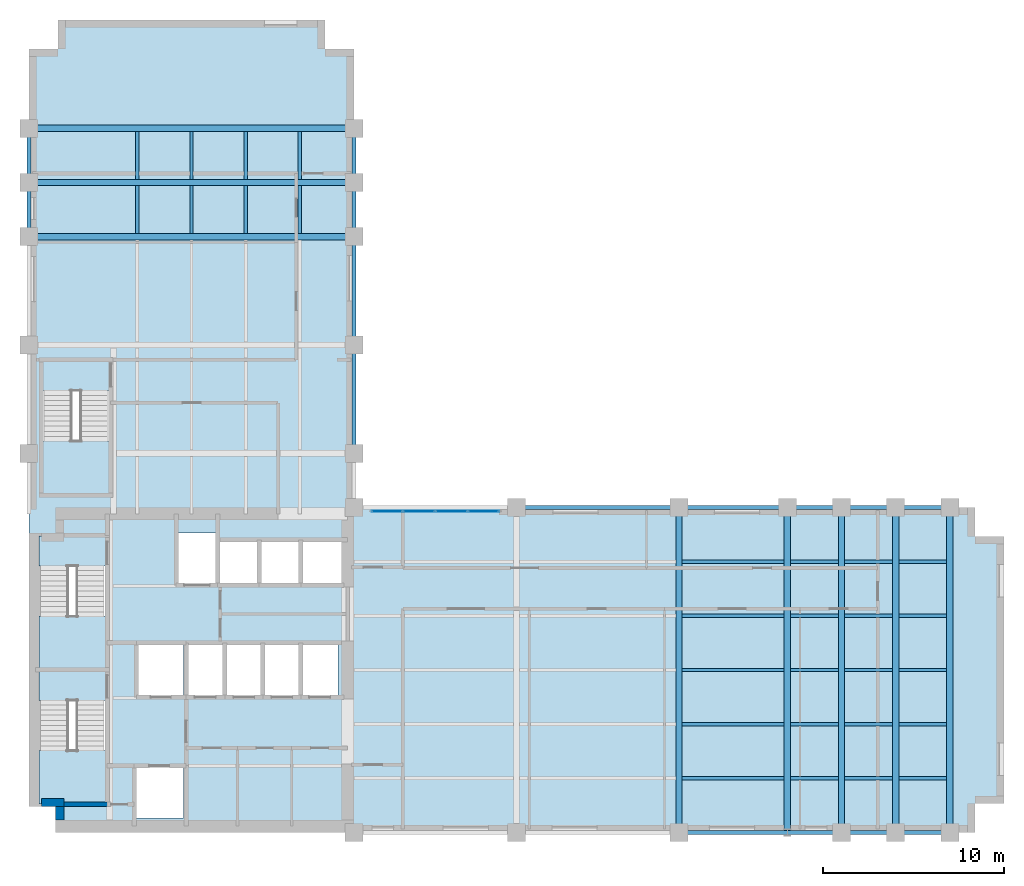
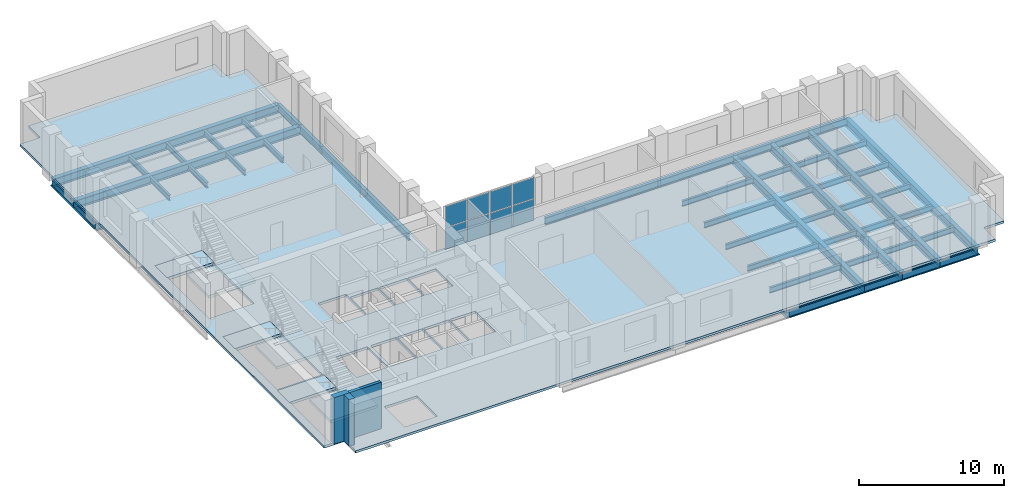
# One storey, part 3 of 8: 51 beams, 8 plates, 7 slabs, 3 walls, 4 elements without a shape of their own.
"""IFC4 building model written with IfcOpenShell, lengths in metres."""

from ifc_helpers import new_model, si_unit, direction, frame, frame_2d, origin, origin_2d, place, context, subcontext, project, spatial, polyline, rectangle, i_section, outline, extrude, material, layer, layer_set, material_profile, profile_set, type_object, element, aggregate, save


model = new_model("IFC4")

# Units and contexts
model_context = context("Model", 3, precision=1e-05, world=origin(), true_north=direction((0.0, 1.0)))
body_context = subcontext(model_context, "Body", "Model", "MODEL_VIEW")
ifc_project = project(units=[si_unit("LENGTHUNIT", "METRE"), si_unit("AREAUNIT", "SQUARE_METRE"), si_unit("VOLUMEUNIT", "CUBIC_METRE"), si_unit("PLANEANGLEUNIT", "RADIAN"), si_unit("MASSUNIT", "GRAM", prefix="KILO")], contexts=[model_context])

# Site, building, storey
site_placement = place(None, origin())
site = spatial("IfcSite", under=ifc_project, at=site_placement, CompositionType="ELEMENT")
building_placement = place(site_placement, origin())
building = spatial("IfcBuilding", under=site, at=building_placement, Name="Mawjdan Bourse Tower", CompositionType="ELEMENT")
storey_placement = place(building_placement, frame((0.0, 0.0, 132.300048828125)))
storey = spatial("IfcBuildingStorey", under=building, at=storey_placement, Name="L31", CompositionType="ELEMENT", Elevation=132.300048828125)

# Beams
ifc_material_1 = material(Name="Structural Steel S355", Category="steel")
ifc_material_profile_1 = material_profile(ifc_material_1, i_section(OverallWidth=0.35498046875, OverallDepth=0.696044921875, WebThickness=0.015380859375, FlangeThickness=0.02490234375, FilletRadius=0.019775390625, at=origin_2d()), Name="W27X146")
ifc_profile_set_1 = profile_set([ifc_material_profile_1], Name="Structural Steel S355")
beam_type_1 = type_object("IfcBeamType", Name="GRD-W27X146", PredefinedType="BEAM", material=ifc_profile_set_1)
for number, where, z_axis, x_axis, name in (
    (1, (42.0, 3.0, -0.548095703125), (0.0, 1.0, 0.0), (-1.0, 0.0, 0.0), "L31 East Wing Clear-Span Girder 003"),
    (2, (48.0, 3.0, -0.548095703125), (0.0, 1.0, 0.0), (-1.0, 0.0, 0.0), "L31 East Wing Clear-Span Girder 004"),
    (3, (51.0, 3.0, -0.548095703125), (0.0, 1.0, 0.0), (-1.0, 0.0, 0.0), "L31 East Wing Clear-Span Girder 005"),
    (4, (54.0, 3.0, -0.548095703125), (0.0, 1.0, 0.0), (-1.0, 0.0, 0.0), "L31 East Wing Clear-Span Girder 006"),
    (5, (57.0, 3.0, -0.548095703125), (0.0, 1.0, 0.0), (-1.0, 0.0, 0.0), "L31 East Wing Clear-Span Girder 007"),
    (6, (6.0, 36.0, -0.548095703125), (1.0, 0.0, 0.0), (0.0, 1.0, 0.0), "L31 North Wing Clear-Span Girder 057"),
    (7, (6.0, 39.0, -0.548095703125), (1.0, 0.0, 0.0), (0.0, 1.0, 0.0), "L31 North Wing Clear-Span Girder 058"),
    (8, (6.0, 42.0, -0.548095703125), (1.0, 0.0, 0.0), (0.0, 1.0, 0.0), "L31 North Wing Clear-Span Girder 059"),
):
    element("IfcBeam", number, at=place(storey_placement, frame(where, z_axis=z_axis, x_axis=x_axis)), inside=storey, type_object=beam_type_1, Name=name, PredefinedType="BEAM", context=body_context, shape_type="SweptSolid", body=[
        extrude(i_section(OverallWidth=0.35498046875, OverallDepth=0.696044921875, WebThickness=0.015380859375, FlangeThickness=0.02490234375, FilletRadius=0.019775390625, at=origin_2d()), origin(), (0.0, 0.0, 1.0), 18.0),
    ])
ifc_material_profile_2 = material_profile(ifc_material_1, i_section(OverallWidth=0.18994140625, OverallDepth=0.45703125, WebThickness=0.009033203125, FlangeThickness=0.014404296875, FilletRadius=0.01171875, at=origin_2d()), Name="W18X50")
ifc_profile_set_2 = profile_set([ifc_material_profile_2], Name="Structural Steel S355")
beam_type_2 = type_object("IfcBeamType", Name="JST-W18X50", PredefinedType="JOIST", material=ifc_profile_set_2)
beam_1_placement = place(storey_placement, frame((42.175537109375, 6.0, -0.428466796875), z_axis=(1.0, 0.0, 0.0), x_axis=(0.0, 1.0, 0.0)))
element("IfcBeam", 9, at=beam_1_placement, inside=storey, type_object=beam_type_2, Name="L31 East Wing Composite Joist 022", PredefinedType="JOIST", context=body_context, shape_type="SweptSolid", body=[
    extrude(i_section(OverallWidth=0.18994140625, OverallDepth=0.45703125, WebThickness=0.009033203125, FlangeThickness=0.014404296875, FilletRadius=0.01171875, at=origin_2d()), origin(), (0.0, 0.0, 1.0), 5.64892578125),
])
for number, where, z_axis, x_axis, name in (
    (10, (48.175537109375, 6.0, -0.428466796875), (1.0, 0.0, 0.0), (0.0, 1.0, 0.0), "L31 East Wing Composite Joist 023"),
    (11, (51.175537109375, 6.0, -0.428466796875), (1.0, 0.0, 0.0), (0.0, 1.0, 0.0), "L31 East Wing Composite Joist 024"),
    (12, (54.175537109375, 6.0, -0.428466796875), (1.0, 0.0, 0.0), (0.0, 1.0, 0.0), "L31 East Wing Composite Joist 025"),
):
    element("IfcBeam", number, at=place(storey_placement, frame(where, z_axis=z_axis, x_axis=x_axis)), inside=storey, type_object=beam_type_2, Name=name, PredefinedType="JOIST", context=body_context, shape_type="SweptSolid", body=[
        extrude(i_section(OverallWidth=0.18994140625, OverallDepth=0.45703125, WebThickness=0.009033203125, FlangeThickness=0.014404296875, FilletRadius=0.01171875, at=origin_2d()), origin(), (0.0, 0.0, 1.0), 2.64892578125),
    ])
beam_2_placement = place(storey_placement, frame((42.175537109375, 9.0, -0.428466796875), z_axis=(1.0, 0.0, 0.0), x_axis=(0.0, 1.0, 0.0)))
element("IfcBeam", 13, at=beam_2_placement, inside=storey, type_object=beam_type_2, Name="L31 East Wing Composite Joist 028", PredefinedType="JOIST", context=body_context, shape_type="SweptSolid", body=[
    extrude(i_section(OverallWidth=0.18994140625, OverallDepth=0.45703125, WebThickness=0.009033203125, FlangeThickness=0.014404296875, FilletRadius=0.01171875, at=origin_2d()), origin(), (0.0, 0.0, 1.0), 5.64892578125),
])
for number, where, z_axis, x_axis, name in (
    (14, (48.175537109375, 9.0, -0.428466796875), (1.0, 0.0, 0.0), (0.0, 1.0, 0.0), "L31 East Wing Composite Joist 029"),
    (15, (51.175537109375, 9.0, -0.428466796875), (1.0, 0.0, 0.0), (0.0, 1.0, 0.0), "L31 East Wing Composite Joist 030"),
    (16, (54.175537109375, 9.0, -0.428466796875), (1.0, 0.0, 0.0), (0.0, 1.0, 0.0), "L31 East Wing Composite Joist 031"),
):
    element("IfcBeam", number, at=place(storey_placement, frame(where, z_axis=z_axis, x_axis=x_axis)), inside=storey, type_object=beam_type_2, Name=name, PredefinedType="JOIST", context=body_context, shape_type="SweptSolid", body=[
        extrude(i_section(OverallWidth=0.18994140625, OverallDepth=0.45703125, WebThickness=0.009033203125, FlangeThickness=0.014404296875, FilletRadius=0.01171875, at=origin_2d()), origin(), (0.0, 0.0, 1.0), 2.64892578125),
    ])
beam_3_placement = place(storey_placement, frame((42.175537109375, 12.0, -0.428466796875), z_axis=(1.0, 0.0, 0.0), x_axis=(0.0, 1.0, 0.0)))
element("IfcBeam", 17, at=beam_3_placement, inside=storey, type_object=beam_type_2, Name="L31 East Wing Composite Joist 034", PredefinedType="JOIST", context=body_context, shape_type="SweptSolid", body=[
    extrude(i_section(OverallWidth=0.18994140625, OverallDepth=0.45703125, WebThickness=0.009033203125, FlangeThickness=0.014404296875, FilletRadius=0.01171875, at=origin_2d()), origin(), (0.0, 0.0, 1.0), 5.64892578125),
])
for number, where, z_axis, x_axis, name in (
    (18, (48.175537109375, 12.0, -0.428466796875), (1.0, 0.0, 0.0), (0.0, 1.0, 0.0), "L31 East Wing Composite Joist 035"),
    (19, (51.175537109375, 12.0, -0.428466796875), (1.0, 0.0, 0.0), (0.0, 1.0, 0.0), "L31 East Wing Composite Joist 036"),
    (20, (54.175537109375, 12.0, -0.428466796875), (1.0, 0.0, 0.0), (0.0, 1.0, 0.0), "L31 East Wing Composite Joist 037"),
):
    element("IfcBeam", number, at=place(storey_placement, frame(where, z_axis=z_axis, x_axis=x_axis)), inside=storey, type_object=beam_type_2, Name=name, PredefinedType="JOIST", context=body_context, shape_type="SweptSolid", body=[
        extrude(i_section(OverallWidth=0.18994140625, OverallDepth=0.45703125, WebThickness=0.009033203125, FlangeThickness=0.014404296875, FilletRadius=0.01171875, at=origin_2d()), origin(), (0.0, 0.0, 1.0), 2.64892578125),
    ])
beam_4_placement = place(storey_placement, frame((42.175537109375, 15.0, -0.428466796875), z_axis=(1.0, 0.0, 0.0), x_axis=(0.0, 1.0, 0.0)))
element("IfcBeam", 21, at=beam_4_placement, inside=storey, type_object=beam_type_2, Name="L31 East Wing Composite Joist 040", PredefinedType="JOIST", context=body_context, shape_type="SweptSolid", body=[
    extrude(i_section(OverallWidth=0.18994140625, OverallDepth=0.45703125, WebThickness=0.009033203125, FlangeThickness=0.014404296875, FilletRadius=0.01171875, at=origin_2d()), origin(), (0.0, 0.0, 1.0), 5.64892578125),
])
for number, where, z_axis, x_axis, name in (
    (22, (48.175537109375, 15.0, -0.428466796875), (1.0, 0.0, 0.0), (0.0, 1.0, 0.0), "L31 East Wing Composite Joist 041"),
    (23, (51.175537109375, 15.0, -0.428466796875), (1.0, 0.0, 0.0), (0.0, 1.0, 0.0), "L31 East Wing Composite Joist 042"),
    (24, (54.175537109375, 15.0, -0.428466796875), (1.0, 0.0, 0.0), (0.0, 1.0, 0.0), "L31 East Wing Composite Joist 043"),
):
    element("IfcBeam", number, at=place(storey_placement, frame(where, z_axis=z_axis, x_axis=x_axis)), inside=storey, type_object=beam_type_2, Name=name, PredefinedType="JOIST", context=body_context, shape_type="SweptSolid", body=[
        extrude(i_section(OverallWidth=0.18994140625, OverallDepth=0.45703125, WebThickness=0.009033203125, FlangeThickness=0.014404296875, FilletRadius=0.01171875, at=origin_2d()), origin(), (0.0, 0.0, 1.0), 2.64892578125),
    ])
beam_5_placement = place(storey_placement, frame((42.175537109375, 18.0, -0.428466796875), z_axis=(1.0, 0.0, 0.0), x_axis=(0.0, 1.0, 0.0)))
element("IfcBeam", 25, at=beam_5_placement, inside=storey, type_object=beam_type_2, Name="L31 East Wing Composite Joist 046", PredefinedType="JOIST", context=body_context, shape_type="SweptSolid", body=[
    extrude(i_section(OverallWidth=0.18994140625, OverallDepth=0.45703125, WebThickness=0.009033203125, FlangeThickness=0.014404296875, FilletRadius=0.01171875, at=origin_2d()), origin(), (0.0, 0.0, 1.0), 5.64892578125),
])
for number, where, z_axis, x_axis, name in (
    (26, (48.175537109375, 18.0, -0.428466796875), (1.0, 0.0, 0.0), (0.0, 1.0, 0.0), "L31 East Wing Composite Joist 047"),
    (27, (51.175537109375, 18.0, -0.428466796875), (1.0, 0.0, 0.0), (0.0, 1.0, 0.0), "L31 East Wing Composite Joist 048"),
    (28, (54.175537109375, 18.0, -0.428466796875), (1.0, 0.0, 0.0), (0.0, 1.0, 0.0), "L31 East Wing Composite Joist 049"),
    (29, (12.0, 36.175537109375, -0.428466796875), (0.0, 1.0, 0.0), (-1.0, 0.0, 0.0), "L31 North Wing Composite Joist 073"),
    (30, (12.0, 39.175537109375, -0.428466796875), (0.0, 1.0, 0.0), (-1.0, 0.0, 0.0), "L31 North Wing Composite Joist 074"),
    (31, (15.0, 36.175537109375, -0.428466796875), (0.0, 1.0, 0.0), (-1.0, 0.0, 0.0), "L31 North Wing Composite Joist 078"),
    (32, (15.0, 39.175537109375, -0.428466796875), (0.0, 1.0, 0.0), (-1.0, 0.0, 0.0), "L31 North Wing Composite Joist 079"),
    (33, (18.0, 36.175537109375, -0.428466796875), (0.0, 1.0, 0.0), (-1.0, 0.0, 0.0), "L31 North Wing Composite Joist 083"),
    (34, (18.0, 39.175537109375, -0.428466796875), (0.0, 1.0, 0.0), (-1.0, 0.0, 0.0), "L31 North Wing Composite Joist 084"),
    (35, (21.0, 36.175537109375, -0.428466796875), (0.0, 1.0, 0.0), (-1.0, 0.0, 0.0), "L31 North Wing Composite Joist 088"),
    (36, (21.0, 39.175537109375, -0.428466796875), (0.0, 1.0, 0.0), (-1.0, 0.0, 0.0), "L31 North Wing Composite Joist 089"),
):
    element("IfcBeam", number, at=place(storey_placement, frame(where, z_axis=z_axis, x_axis=x_axis)), inside=storey, type_object=beam_type_2, Name=name, PredefinedType="JOIST", context=body_context, shape_type="SweptSolid", body=[
        extrude(i_section(OverallWidth=0.18994140625, OverallDepth=0.45703125, WebThickness=0.009033203125, FlangeThickness=0.014404296875, FilletRadius=0.01171875, at=origin_2d()), origin(), (0.0, 0.0, 1.0), 2.64892578125),
    ])
ifc_material_profile_3 = material_profile(ifc_material_1, i_section(OverallWidth=0.22998046875, OverallDepth=0.616943359375, WebThickness=0.01318359375, FlangeThickness=0.022216796875, FilletRadius=0.017822265625, at=origin_2d()), Name="W24X94")
ifc_profile_set_3 = profile_set([ifc_material_profile_3], Name="Structural Steel S355")
beam_type_3 = type_object("IfcBeamType", Name="SPN-W24X94", PredefinedType="SPANDREL", material=ifc_profile_set_3)
beam_6_placement = place(storey_placement, frame((42.0, 3.0, -0.508544921875), z_axis=(1.0, 0.0, 0.0), x_axis=(0.0, 1.0, 0.0)))
element("IfcBeam", 37, at=beam_6_placement, inside=storey, type_object=beam_type_3, Name="L31 Perimeter Masonry-Shelf Spandrel 010", PredefinedType="SPANDREL", context=body_context, shape_type="SweptSolid", body=[
    extrude(i_section(OverallWidth=0.22998046875, OverallDepth=0.616943359375, WebThickness=0.01318359375, FlangeThickness=0.022216796875, FilletRadius=0.017822265625, at=origin_2d()), origin(), (0.0, 0.0, 1.0), 6.0),
])
for number, where, z_axis, x_axis, name in (
    (38, (48.0, 3.0, -0.508544921875), (1.0, 0.0, 0.0), (0.0, 1.0, 0.0), "L31 Perimeter Masonry-Shelf Spandrel 011"),
    (39, (51.0, 3.0, -0.508544921875), (1.0, 0.0, 0.0), (0.0, 1.0, 0.0), "L31 Perimeter Masonry-Shelf Spandrel 012"),
    (40, (54.0, 3.0, -0.508544921875), (1.0, 0.0, 0.0), (0.0, 1.0, 0.0), "L31 Perimeter Masonry-Shelf Spandrel 013"),
):
    element("IfcBeam", number, at=place(storey_placement, frame(where, z_axis=z_axis, x_axis=x_axis)), inside=storey, type_object=beam_type_3, Name=name, PredefinedType="SPANDREL", context=body_context, shape_type="SweptSolid", body=[
        extrude(i_section(OverallWidth=0.22998046875, OverallDepth=0.616943359375, WebThickness=0.01318359375, FlangeThickness=0.022216796875, FilletRadius=0.017822265625, at=origin_2d()), origin(), (0.0, 0.0, 1.0), 3.0),
    ])
beam_7_placement = place(storey_placement, frame((33.0, 21.0, -0.508544921875), z_axis=(1.0, 0.0, 0.0), x_axis=(0.0, 1.0, 0.0)))
element("IfcBeam", 41, at=beam_7_placement, inside=storey, type_object=beam_type_3, Name="L31 Perimeter Masonry-Shelf Spandrel 015", PredefinedType="SPANDREL", context=body_context, shape_type="SweptSolid", body=[
    extrude(i_section(OverallWidth=0.22998046875, OverallDepth=0.616943359375, WebThickness=0.01318359375, FlangeThickness=0.022216796875, FilletRadius=0.017822265625, at=origin_2d()), origin(), (0.0, 0.0, 1.0), 9.0),
])
beam_8_placement = place(storey_placement, frame((42.0, 21.0, -0.508544921875), z_axis=(1.0, 0.0, 0.0), x_axis=(0.0, 1.0, 0.0)))
element("IfcBeam", 42, at=beam_8_placement, inside=storey, type_object=beam_type_3, Name="L31 Perimeter Masonry-Shelf Spandrel 016", PredefinedType="SPANDREL", context=body_context, shape_type="SweptSolid", body=[
    extrude(i_section(OverallWidth=0.22998046875, OverallDepth=0.616943359375, WebThickness=0.01318359375, FlangeThickness=0.022216796875, FilletRadius=0.017822265625, at=origin_2d()), origin(), (0.0, 0.0, 1.0), 6.0),
])
for number, where, z_axis, x_axis, name in (
    (43, (48.0, 21.0, -0.508544921875), (1.0, 0.0, 0.0), (0.0, 1.0, 0.0), "L31 Perimeter Masonry-Shelf Spandrel 017"),
    (44, (51.0, 21.0, -0.508544921875), (1.0, 0.0, 0.0), (0.0, 1.0, 0.0), "L31 Perimeter Masonry-Shelf Spandrel 018"),
    (45, (54.0, 21.0, -0.508544921875), (1.0, 0.0, 0.0), (0.0, 1.0, 0.0), "L31 Perimeter Masonry-Shelf Spandrel 019"),
    (46, (6.0, 36.0, -0.508544921875), (0.0, 1.0, 0.0), (-1.0, 0.0, 0.0), "L31 North Wing Spandrel 063"),
    (47, (6.0, 39.0, -0.508544921875), (0.0, 1.0, 0.0), (-1.0, 0.0, 0.0), "L31 North Wing Spandrel 064"),
):
    element("IfcBeam", number, at=place(storey_placement, frame(where, z_axis=z_axis, x_axis=x_axis)), inside=storey, type_object=beam_type_3, Name=name, PredefinedType="SPANDREL", context=body_context, shape_type="SweptSolid", body=[
        extrude(i_section(OverallWidth=0.22998046875, OverallDepth=0.616943359375, WebThickness=0.01318359375, FlangeThickness=0.022216796875, FilletRadius=0.017822265625, at=origin_2d()), origin(), (0.0, 0.0, 1.0), 3.0),
    ])
for number, where, z_axis, x_axis, name in (
    (48, (24.0, 24.0, -0.508544921875), (0.0, 1.0, 0.0), (-1.0, 0.0, 0.0), "L31 North Wing Spandrel 066"),
    (49, (24.0, 30.0, -0.508544921875), (0.0, 1.0, 0.0), (-1.0, 0.0, 0.0), "L31 North Wing Spandrel 067"),
):
    element("IfcBeam", number, at=place(storey_placement, frame(where, z_axis=z_axis, x_axis=x_axis)), inside=storey, type_object=beam_type_3, Name=name, PredefinedType="SPANDREL", context=body_context, shape_type="SweptSolid", body=[
        extrude(i_section(OverallWidth=0.22998046875, OverallDepth=0.616943359375, WebThickness=0.01318359375, FlangeThickness=0.022216796875, FilletRadius=0.017822265625, at=origin_2d()), origin(), (0.0, 0.0, 1.0), 6.0),
    ])
for number, where, z_axis, x_axis, name in (
    (50, (24.0, 36.0, -0.508544921875), (0.0, 1.0, 0.0), (-1.0, 0.0, 0.0), "L31 North Wing Spandrel 068"),
    (51, (24.0, 39.0, -0.508544921875), (0.0, 1.0, 0.0), (-1.0, 0.0, 0.0), "L31 North Wing Spandrel 069"),
):
    element("IfcBeam", number, at=place(storey_placement, frame(where, z_axis=z_axis, x_axis=x_axis)), inside=storey, type_object=beam_type_3, Name=name, PredefinedType="SPANDREL", context=body_context, shape_type="SweptSolid", body=[
        extrude(i_section(OverallWidth=0.22998046875, OverallDepth=0.616943359375, WebThickness=0.01318359375, FlangeThickness=0.022216796875, FilletRadius=0.017822265625, at=origin_2d()), origin(), (0.0, 0.0, 1.0), 3.0),
    ])

# Curtain wall, plates
ifc_material_2 = material(Name="Thermally Broken Aluminium and Solar Glass", Category="aluminium")
ifc_layer_1 = layer(ifc_material_2, 0.219970703125)
ifc_layer_set_1 = layer_set([ifc_layer_1], Name="Thermally Broken Aluminium and Solar Glass")
curtain_wall_type = type_object("IfcCurtainWallType", Name="CW-ATR", PredefinedType="USERDEFINED", material=ifc_layer_set_1)
curtain_wall_placement = place(storey_placement, origin())
curtain_wall = element("IfcCurtainWall", 52, at=curtain_wall_placement, inside=storey, type_object=curtain_wall_type, Name="L31 Northeast Atrium Court Curtain Wall", ObjectType="ATRIUM GLAZED CURTAIN WALL", PredefinedType="USERDEFINED")
ifc_material_3 = material(Name="Low-SHGC Clear Atrium Glass", Category="glass")
ifc_layer_2 = layer(ifc_material_3, 0.035888671875)
ifc_layer_set_2 = layer_set([ifc_layer_2], Name="Low-SHGC Clear Atrium Glass")
plate_type = type_object("IfcPlateType", Name="PNL-CW-ATR", PredefinedType="CURTAIN_PANEL", material=ifc_layer_set_2)
plate_1_placement = place(storey_placement, frame((31.1826171875, 20.7900390625, 0.06005859375), z_axis=(0.0, 0.0, 1.0), x_axis=(-1.0, 0.0, 0.0)))
plate_1 = element("IfcPlate", 53, at=plate_1_placement, type_object=plate_type, Name="CW-ATR-L31-ATR-NE panel 1.1", PredefinedType="CURTAIN_PANEL", context=body_context, shape_type="SweptSolid", body=[
    extrude(rectangle(XDim=1.695068359375, YDim=0.035888671875, at=origin_2d()), origin(), (0.0, 0.0, 1.0), 1.760009765625),
])
plate_2_placement = place(storey_placement, frame((31.1826171875, 20.7900390625, 1.8798828125), z_axis=(0.0, 0.0, 1.0), x_axis=(-1.0, 0.0, 0.0)))
plate_2 = element("IfcPlate", 54, at=plate_2_placement, type_object=plate_type, Name="CW-ATR-L31-ATR-NE panel 1.2", PredefinedType="CURTAIN_PANEL", context=body_context, shape_type="SweptSolid", body=[
    extrude(rectangle(XDim=1.695068359375, YDim=0.035888671875, at=origin_2d()), origin(), (0.0, 0.0, 1.0), 1.760009765625),
])
plate_3_placement = place(storey_placement, frame((29.39990234375, 20.7900390625, 0.06005859375), z_axis=(0.0, 0.0, 1.0), x_axis=(-1.0, 0.0, 0.0)))
plate_3 = element("IfcPlate", 55, at=plate_3_placement, type_object=plate_type, Name="CW-ATR-L31-ATR-NE panel 2.1", PredefinedType="CURTAIN_PANEL", context=body_context, shape_type="SweptSolid", body=[
    extrude(rectangle(XDim=1.72998046875, YDim=0.035888671875, at=origin_2d()), origin(), (0.0, 0.0, 1.0), 1.760009765625),
])
plate_4_placement = place(storey_placement, frame((29.39990234375, 20.7900390625, 1.8798828125), z_axis=(0.0, 0.0, 1.0), x_axis=(-1.0, 0.0, 0.0)))
plate_4 = element("IfcPlate", 56, at=plate_4_placement, type_object=plate_type, Name="CW-ATR-L31-ATR-NE panel 2.2", PredefinedType="CURTAIN_PANEL", context=body_context, shape_type="SweptSolid", body=[
    extrude(rectangle(XDim=1.72998046875, YDim=0.035888671875, at=origin_2d()), origin(), (0.0, 0.0, 1.0), 1.760009765625),
])
plate_5_placement = place(storey_placement, frame((27.60009765625, 20.7900390625, 0.06005859375), z_axis=(0.0, 0.0, 1.0), x_axis=(-1.0, 0.0, 0.0)))
plate_5 = element("IfcPlate", 57, at=plate_5_placement, type_object=plate_type, Name="CW-ATR-L31-ATR-NE panel 3.1", PredefinedType="CURTAIN_PANEL", context=body_context, shape_type="SweptSolid", body=[
    extrude(rectangle(XDim=1.72998046875, YDim=0.035888671875, at=origin_2d()), origin(), (0.0, 0.0, 1.0), 1.760009765625),
])
plate_6_placement = place(storey_placement, frame((27.60009765625, 20.7900390625, 1.8798828125), z_axis=(0.0, 0.0, 1.0), x_axis=(-1.0, 0.0, 0.0)))
plate_6 = element("IfcPlate", 58, at=plate_6_placement, type_object=plate_type, Name="CW-ATR-L31-ATR-NE panel 3.2", PredefinedType="CURTAIN_PANEL", context=body_context, shape_type="SweptSolid", body=[
    extrude(rectangle(XDim=1.72998046875, YDim=0.035888671875, at=origin_2d()), origin(), (0.0, 0.0, 1.0), 1.760009765625),
])
plate_7_placement = place(storey_placement, frame((25.8173828125, 20.7900390625, 0.06005859375), z_axis=(0.0, 0.0, 1.0), x_axis=(-1.0, 0.0, 0.0)))
plate_7 = element("IfcPlate", 59, at=plate_7_placement, type_object=plate_type, Name="CW-ATR-L31-ATR-NE panel 4.1", PredefinedType="CURTAIN_PANEL", context=body_context, shape_type="SweptSolid", body=[
    extrude(rectangle(XDim=1.695068359375, YDim=0.035888671875, at=origin_2d()), origin(), (0.0, 0.0, 1.0), 1.760009765625),
])
plate_8_placement = place(storey_placement, frame((25.8173828125, 20.7900390625, 1.8798828125), z_axis=(0.0, 0.0, 1.0), x_axis=(-1.0, 0.0, 0.0)))
plate_8 = element("IfcPlate", 60, at=plate_8_placement, type_object=plate_type, Name="CW-ATR-L31-ATR-NE panel 4.2", PredefinedType="CURTAIN_PANEL", context=body_context, shape_type="SweptSolid", body=[
    extrude(rectangle(XDim=1.695068359375, YDim=0.035888671875, at=origin_2d()), origin(), (0.0, 0.0, 1.0), 1.760009765625),
])
aggregate(curtain_wall, [plate_1, plate_2, plate_3, plate_4, plate_5, plate_6, plate_7, plate_8])

# Stair, slabs
ifc_material_4 = material(Name="Concrete C50/60", Category="concrete")
stair_type = type_object("IfcStairType", Name="STR-CORE-1500", PredefinedType="HALF_TURN_STAIR", material=ifc_material_4)
stair_1_placement = place(storey_placement, origin())
stair_1 = element("IfcStair", 61, at=stair_1_placement, inside=storey, type_object=stair_type, Name="L31 Exit Stair 1 (Core South-West)", PredefinedType="HALF_TURN_STAIR")
ifc_layer_3 = layer(ifc_material_4, 0.22998046875)
ifc_layer_set_3 = layer_set([ifc_layer_3], Name="Concrete C50/60")
slab_type_1 = type_object("IfcSlabType", Name="SL-LND-230", PredefinedType="LANDING", material=ifc_layer_set_3)
slab_1_placement = place(storey_placement, frame((0.0, 0.0, -0.22998046875)))
slab_1 = element("IfcSlab", 62, at=slab_1_placement, type_object=slab_type_1, Name="ST1-L31 landing 1", PredefinedType="LANDING", context=body_context, shape_type="SweptSolid", body=[
    extrude(outline(polyline([(6.5400390625, 10.31005859375), (10.260009765625, 10.31005859375), (10.260009765625, 11.969970703125), (6.5400390625, 11.969970703125), (6.5400390625, 10.31005859375)])), origin(), (0.0, 0.0, 1.0), 0.22998046875),
])
slab_2_placement = place(storey_placement, frame((0.0, 0.0, 1.719970703125)))
slab_2 = element("IfcSlab", 63, at=slab_2_placement, type_object=slab_type_1, Name="ST1-L31 landing 2", PredefinedType="LANDING", context=body_context, shape_type="SweptSolid", body=[
    extrude(outline(polyline([(6.5400390625, 4.590087890625), (10.260009765625, 4.590087890625), (10.260009765625, 7.5400390625), (6.5400390625, 7.5400390625), (6.5400390625, 4.590087890625)])), origin(), (0.0, 0.0, 1.0), 0.22998046875),
])
aggregate(stair_1, [slab_1, slab_2])

stair_2_placement = place(storey_placement, origin())
stair_2 = element("IfcStair", 64, at=stair_2_placement, inside=storey, type_object=stair_type, Name="L31 Exit Stair 2 (Core North-West)", PredefinedType="HALF_TURN_STAIR")
slab_3_placement = place(storey_placement, frame((0.0, 0.0, -0.22998046875)))
slab_3 = element("IfcSlab", 65, at=slab_3_placement, type_object=slab_type_1, Name="ST2-L31 landing 1", PredefinedType="LANDING", context=body_context, shape_type="SweptSolid", body=[
    extrude(outline(polyline([(6.5400390625, 17.75), (10.260009765625, 17.75), (10.260009765625, 19.409912109375), (6.5400390625, 19.409912109375), (6.5400390625, 17.75)])), origin(), (0.0, 0.0, 1.0), 0.22998046875),
])
slab_4_placement = place(storey_placement, frame((0.0, 0.0, 1.719970703125)))
slab_4 = element("IfcSlab", 66, at=slab_4_placement, type_object=slab_type_1, Name="ST2-L31 landing 2", PredefinedType="LANDING", context=body_context, shape_type="SweptSolid", body=[
    extrude(outline(polyline([(6.5400390625, 12.030029296875), (10.260009765625, 12.030029296875), (10.260009765625, 14.97998046875), (6.5400390625, 14.97998046875), (6.5400390625, 12.030029296875)])), origin(), (0.0, 0.0, 1.0), 0.22998046875),
])
aggregate(stair_2, [slab_3, slab_4])

stair_3_placement = place(storey_placement, origin())
stair_3 = element("IfcStair", 67, at=stair_3_placement, inside=storey, type_object=stair_type, Name="L31 Exit Stair 3 (North Wing)", PredefinedType="HALF_TURN_STAIR")
slab_5_placement = place(storey_placement, frame((0.0, 0.0, -0.22998046875)))
slab_5 = element("IfcSlab", 68, at=slab_5_placement, type_object=slab_type_1, Name="ST3-L31 landing 1", PredefinedType="LANDING", context=body_context, shape_type="SweptSolid", body=[
    extrude(outline(polyline([(6.739990234375, 27.4599609375), (10.4599609375, 27.4599609375), (10.4599609375, 29.1201171875), (6.739990234375, 29.1201171875), (6.739990234375, 27.4599609375)])), origin(), (0.0, 0.0, 1.0), 0.22998046875),
])
slab_6_placement = place(storey_placement, frame((0.0, 0.0, 1.719970703125)))
slab_6 = element("IfcSlab", 69, at=slab_6_placement, type_object=slab_type_1, Name="ST3-L31 landing 2", PredefinedType="LANDING", context=body_context, shape_type="SweptSolid", body=[
    extrude(outline(polyline([(6.739990234375, 21.739990234375), (10.4599609375, 21.739990234375), (10.4599609375, 24.68994140625), (6.739990234375, 24.68994140625), (6.739990234375, 21.739990234375)])), origin(), (0.0, 0.0, 1.0), 0.22998046875),
])
aggregate(stair_3, [slab_5, slab_6])

# Slab
ifc_layer_4 = layer(ifc_material_4, 0.199951171875)
ifc_layer_set_4 = layer_set([ifc_layer_4], Name="Concrete C50/60")
slab_type_2 = type_object("IfcSlabType", Name="SL-OFC-200", PredefinedType="FLOOR", material=ifc_layer_set_4)
slab_7_placement = place(storey_placement, frame((0.0, 0.0, -0.199951171875)))
element("IfcSlab", 70, at=slab_7_placement, inside=storey, type_object=slab_type_2, Name="L31 Structural Floor Slab 1", PredefinedType="FLOOR", context=body_context, shape_type="SweptSolid", body=[
    extrude(outline(polyline([(7.60009765625, 3.0), (58.39990234375, 3.0), (58.39990234375, 4.60009765625), (60.0, 4.60009765625), (60.0, 19.39990234375), (58.39990234375, 19.39990234375), (58.39990234375, 21.0), (24.0, 21.0), (24.0, 46.39990234375), (22.39990234375, 46.39990234375), (22.39990234375, 48.0), (7.60009765625, 48.0), (7.60009765625, 46.39990234375), (6.0, 46.39990234375), (6.0, 4.60009765625), (7.60009765625, 4.60009765625), (7.60009765625, 3.0)]), holes=[polyline([(11.949951171875, 3.800048828125), (11.949951171875, 6.60009765625), (14.550048828125, 6.60009765625), (14.550048828125, 3.800048828125), (11.949951171875, 3.800048828125)]), polyline([(6.60009765625, 10.31005859375), (6.5400390625, 10.31005859375), (6.5400390625, 11.969970703125), (10.260009765625, 11.969970703125), (10.260009765625, 10.31005859375), (10.199951171875, 10.31005859375), (10.199951171875, 4.64990234375), (6.60009765625, 4.64990234375), (6.60009765625, 10.31005859375)]), polyline([(12.050048828125, 10.60009765625), (12.050048828125, 13.39990234375), (14.550048828125, 13.39990234375), (14.550048828125, 10.60009765625), (12.050048828125, 10.60009765625)]), polyline([(10.260009765625, 19.409912109375), (10.260009765625, 17.75), (10.199951171875, 17.75), (10.199951171875, 12.090087890625), (6.60009765625, 12.090087890625), (6.60009765625, 17.75), (6.5400390625, 17.75), (6.5400390625, 19.409912109375), (10.260009765625, 19.409912109375)]), polyline([(10.4599609375, 29.1201171875), (10.4599609375, 27.4599609375), (10.39990234375, 27.4599609375), (10.39990234375, 21.800048828125), (6.800048828125, 21.800048828125), (6.800048828125, 27.4599609375), (6.739990234375, 27.4599609375), (6.739990234375, 29.1201171875), (10.4599609375, 29.1201171875)]), polyline([(14.800048828125, 10.60009765625), (14.800048828125, 13.39990234375), (16.800048828125, 13.39990234375), (16.800048828125, 10.60009765625), (14.800048828125, 10.60009765625)]), polyline([(16.89990234375, 10.60009765625), (16.89990234375, 13.39990234375), (18.89990234375, 13.39990234375), (18.89990234375, 10.60009765625), (16.89990234375, 10.60009765625)]), polyline([(19.0, 10.60009765625), (19.0, 13.39990234375), (21.0, 13.39990234375), (21.0, 10.60009765625), (19.0, 10.60009765625)]), polyline([(21.10009765625, 10.60009765625), (21.10009765625, 13.39990234375), (23.10009765625, 13.39990234375), (23.10009765625, 10.60009765625), (21.10009765625, 10.60009765625)]), polyline([(16.5, 16.800048828125), (16.5, 19.14990234375), (18.699951171875, 19.14990234375), (18.699951171875, 16.800048828125), (16.5, 16.800048828125)]), polyline([(18.800048828125, 16.800048828125), (18.800048828125, 19.14990234375), (21.0, 19.14990234375), (21.0, 16.800048828125), (18.800048828125, 16.800048828125)]), polyline([(21.10009765625, 16.800048828125), (21.10009765625, 19.14990234375), (23.300048828125, 19.14990234375), (23.300048828125, 16.800048828125), (21.10009765625, 16.800048828125)]), polyline([(14.199951171875, 16.800048828125), (14.199951171875, 19.60009765625), (16.39990234375, 19.60009765625), (16.39990234375, 16.800048828125), (14.199951171875, 16.800048828125)])]), origin(), (0.0, 0.0, 1.0), 0.199951171875),
])

# Walls
ifc_material_5 = material(Name="Concrete C60/75", Category="concrete")
ifc_layer_5 = layer(ifc_material_5, 0.449951171875)
ifc_layer_set_5 = layer_set([ifc_layer_5], Name="Concrete C60/75")
wall_type_1 = type_object("IfcWallType", Name="WL-CORE-450", PredefinedType="SHEAR", material=ifc_layer_set_5)
wall_1_placement = place(storey_placement, frame((6.699951171875, 4.64990234375, 0.0), z_axis=(0.0, 0.0, 1.0), x_axis=(1.0, 0.0, 0.0)))
element("IfcWall", 71, at=wall_1_placement, inside=storey, type_object=wall_type_1, Name="L31 Rear Core Shear Wall SW-X", PredefinedType="SHEAR", context=body_context, shape_type="SweptSolid", body=[
    extrude(rectangle(XDim=1.22509765625, YDim=0.449951171875, at=frame_2d((0.612548828125, 0.0))), origin(), (0.0, 0.0, 1.0), 3.89990234375),
])
wall_2_placement = place(storey_placement, frame((7.699951171875, 3.699951171875, 0.0), z_axis=(0.0, 0.0, 1.0), x_axis=(0.0, 1.0, 0.0)))
element("IfcWall", 72, at=wall_2_placement, inside=storey, type_object=wall_type_1, Name="L31 Rear Core Shear Wall SW-Y", PredefinedType="SHEAR", context=body_context, shape_type="SweptSolid", body=[
    extrude(rectangle(XDim=0.72509765625, YDim=0.449951171875, at=frame_2d((0.362548828125, 0.0))), origin(), (0.0, 0.0, 1.0), 3.89990234375),
])
ifc_layer_6 = layer(ifc_material_4, 0.25)
ifc_layer_set_6 = layer_set([ifc_layer_6], Name="Concrete C50/60")
wall_type_2 = type_object("IfcWallType", Name="WL-STRW-250", PredefinedType="SHEAR", material=ifc_layer_set_6)
wall_3_placement = place(storey_placement, frame((7.699951171875, 4.550048828125, 0.0), z_axis=(0.0, 0.0, 1.0), x_axis=(1.0, 0.0, 0.0)))
element("IfcWall", 73, at=wall_3_placement, inside=storey, type_object=wall_type_2, Name="L31 Stairwell ST1 South Shaft Wall", PredefinedType="SHEAR", context=body_context, shape_type="SweptSolid", body=[
    extrude(rectangle(XDim=2.755126953125, YDim=0.25, at=frame_2d((1.37744140625, 0.0))), origin(), (0.0, 0.0, 1.0), 3.89990234375),
])

save(model, "model.ifc")
